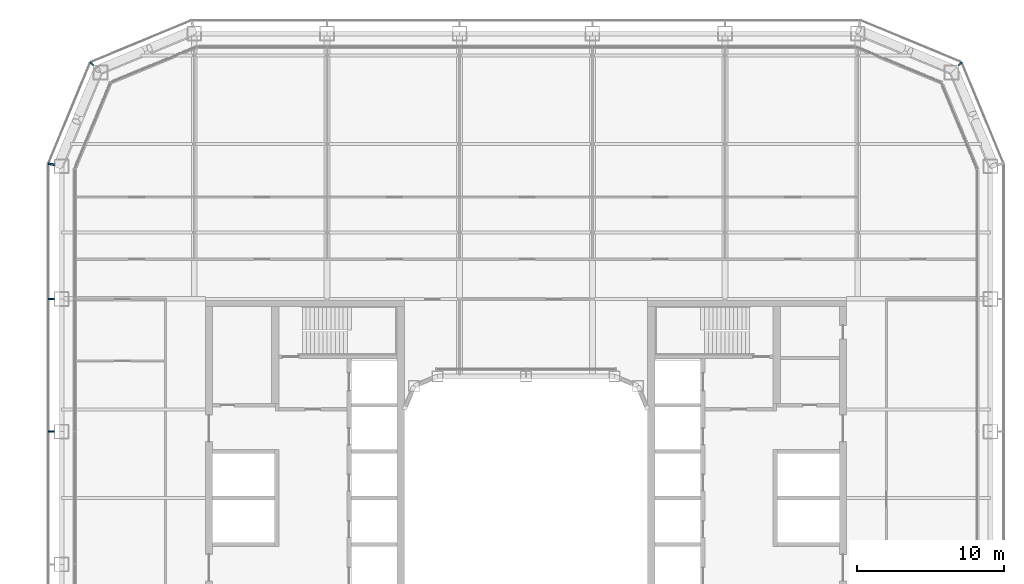
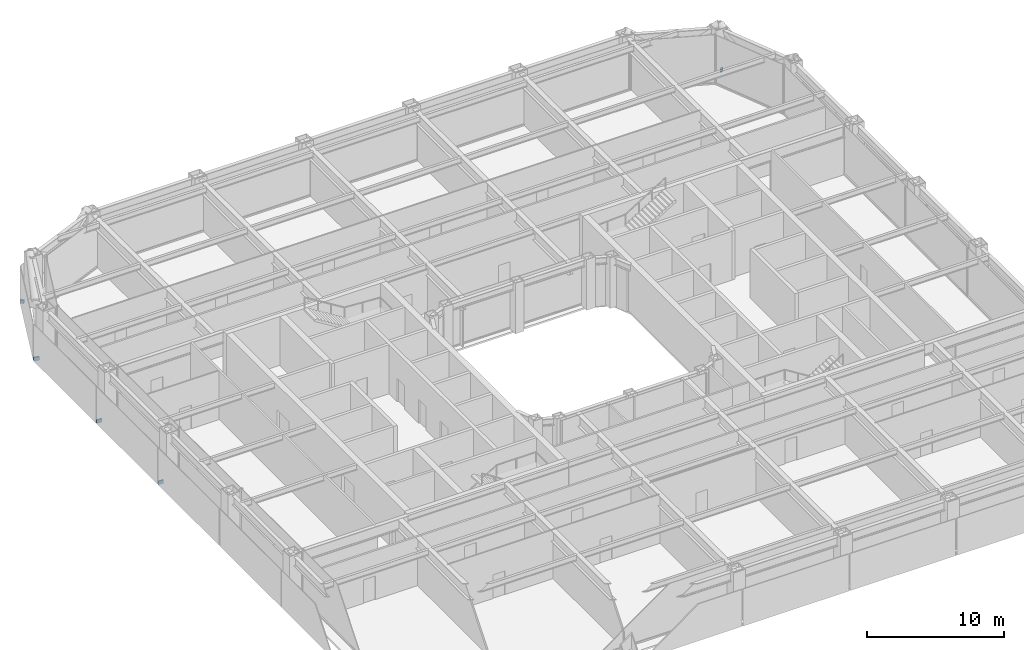
# One storey, part 20 of 27: 5 discrete accessories.
"""IFC4 building model written with IfcOpenShell, lengths in metres."""

from ifc_helpers import new_model, si_unit, direction, frame, origin, origin_2d, place, context, subcontext, project, spatial, rectangle, extrude, material, type_object, element, save


model = new_model("IFC4")

# Units and contexts
model_context = context("Model", 3, precision=1e-05, world=origin(), true_north=direction((0.0, 1.0)))
body_context = subcontext(model_context, "Body", "Model", "MODEL_VIEW")
ifc_project = project(units=[si_unit("LENGTHUNIT", "METRE"), si_unit("AREAUNIT", "SQUARE_METRE"), si_unit("VOLUMEUNIT", "CUBIC_METRE"), si_unit("PLANEANGLEUNIT", "RADIAN"), si_unit("MASSUNIT", "GRAM", prefix="KILO")], contexts=[model_context])

# Site, building, storey
site_placement = place(None, origin())
site = spatial("IfcSite", under=ifc_project, at=site_placement, CompositionType="ELEMENT")
building_placement = place(site_placement, origin())
building = spatial("IfcBuilding", under=site, at=building_placement, Name="Siwar Civic Tower", CompositionType="ELEMENT")
storey_placement = place(building_placement, frame((0.0, 0.0, 71.699951171875)))
storey = spatial("IfcBuildingStorey", under=building, at=storey_placement, Name="L15", CompositionType="ELEMENT", Elevation=71.699951171875)

# Discrete accessories
ifc_material = material(Name="Stainless steel 316", Category="steel")
discrete_accessory_type = type_object("IfcDiscreteAccessoryType", Name="ENV-BRACKET", PredefinedType="BRACKET", material=ifc_material)
for number, where, z_axis, x_axis, name in (
    (1, (29.451416015625, 29.451416015625, -0.14990234375), (0.0, 0.0, 1.0), (0.707106781187, 0.707106781187, 0.0), "Bracket outer skin joint V05"),
    (2, (-29.451416015625, 29.451416015625, -0.14990234375), (0.0, 0.0, 1.0), (-0.707106781187, 0.707106781187, 0.0), "Bracket outer skin joint V08"),
):
    element("IfcDiscreteAccessory", number, at=place(storey_placement, frame(where, z_axis=z_axis, x_axis=x_axis)), inside=storey, type_object=discrete_accessory_type, Name=name, PredefinedType="BRACKET", context=body_context, shape_type="SweptSolid", body=[
        extrude(rectangle(XDim=0.287109375, YDim=0.12939453125, at=origin_2d()), origin(), (0.0, 0.0, 1.0), 0.300048828125),
    ])
discrete_accessory_placement = place(storey_placement, frame((-32.190185546875, 22.63720703125, -0.14990234375), z_axis=(0.0, 0.0, 1.0), x_axis=(-0.980785280403, 0.195090322016, 0.0)))
element("IfcDiscreteAccessory", 3, at=discrete_accessory_placement, inside=storey, type_object=discrete_accessory_type, Name="Bracket outer skin joint V09", PredefinedType="BRACKET", context=body_context, shape_type="SweptSolid", body=[
    extrude(rectangle(XDim=0.427734375, YDim=0.13720703125, at=origin_2d()), origin(), (0.0, 0.0, 1.0), 0.300048828125),
])
for number, where, z_axis, x_axis, name in (
    (4, (-32.18994140625, 13.5, -0.14990234375), (0.0, 0.0, 1.0), (-1.0, 0.0, 0.0), "Bracket outer skin joint W-01"),
    (5, (-32.18994140625, 4.5, -0.14990234375), (0.0, 0.0, 1.0), (-1.0, 0.0, 0.0), "Bracket outer skin joint W-02"),
):
    element("IfcDiscreteAccessory", number, at=place(storey_placement, frame(where, z_axis=z_axis, x_axis=x_axis)), inside=storey, type_object=discrete_accessory_type, Name=name, PredefinedType="BRACKET", context=body_context, shape_type="SweptSolid", body=[
        extrude(rectangle(XDim=0.419921875, YDim=0.10009765625, at=origin_2d()), origin(), (0.0, 0.0, 1.0), 0.300048828125),
    ])

save(model, "model.ifc")
